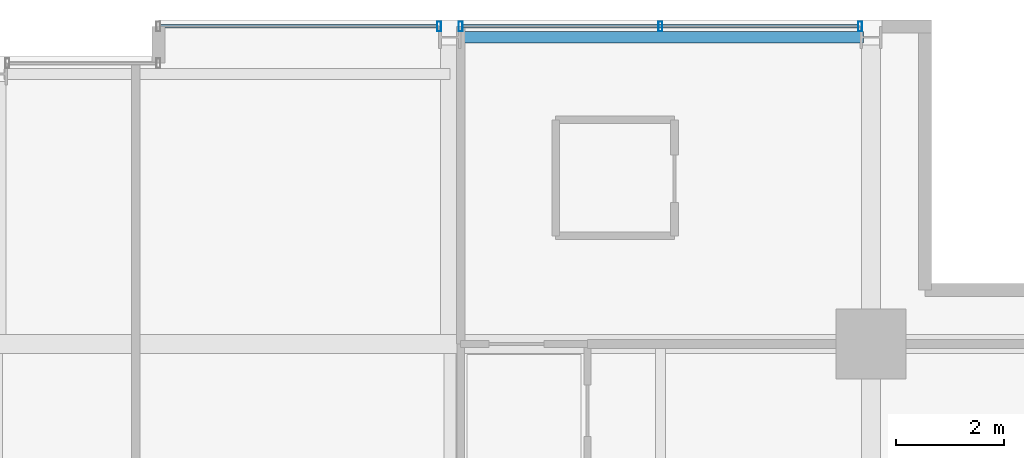
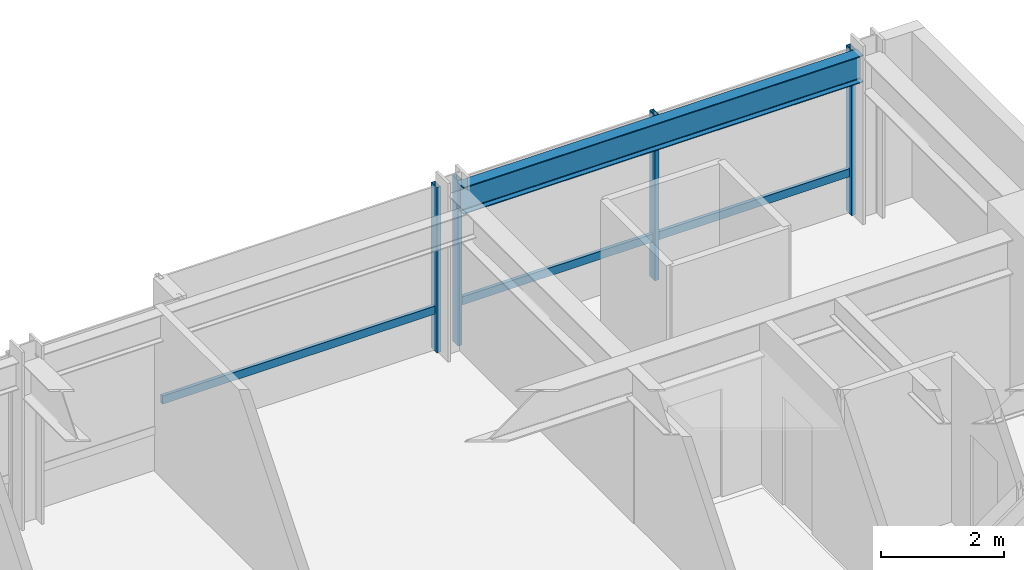
# One storey, part 24 of 32: 6 members, 1 beam, 2 elements without a shape of their own.
"""IFC4 building model written with IfcOpenShell, lengths in metres."""

from ifc_helpers import new_model, si_unit, direction, frame, origin, origin_2d, place, context, subcontext, project, spatial, hollow_rectangle, i_section, extrude, material, layer, layer_set, material_profile, profile_set, type_object, element, aggregate, save


model = new_model("IFC4")

# Units and contexts
model_context = context("Model", 3, precision=1e-05, world=origin(), true_north=direction((0.0, 1.0)))
body_context = subcontext(model_context, "Body", "Model", "MODEL_VIEW")
ifc_project = project(units=[si_unit("LENGTHUNIT", "METRE"), si_unit("AREAUNIT", "SQUARE_METRE"), si_unit("VOLUMEUNIT", "CUBIC_METRE"), si_unit("PLANEANGLEUNIT", "RADIAN"), si_unit("MASSUNIT", "GRAM", prefix="KILO")], contexts=[model_context])

# Site, building, storey
site_placement = place(None, origin())
site = spatial("IfcSite", under=ifc_project, at=site_placement, CompositionType="ELEMENT")
building_placement = place(site_placement, origin())
building = spatial("IfcBuilding", under=site, at=building_placement, Name="Drelvath Grand Hotel", CompositionType="ELEMENT")
storey_placement = place(building_placement, frame((0.0, 0.0, 157.5)))
storey = spatial("IfcBuildingStorey", under=building, at=storey_placement, Name="L40", CompositionType="ELEMENT", Elevation=157.5)

# Curtain wall, member
ifc_material_1 = material(Name="Brushed Pale-Silver Anodised Aluminium Frame", Category="aluminium")
ifc_layer = layer(ifc_material_1, 0.199951171875)
ifc_layer_set = layer_set([ifc_layer], Name="Brushed Pale-Silver Anodised Aluminium Frame")
curtain_wall_type = type_object("IfcCurtainWallType", Name="Stick Curtain Wall CW-04 Brushed Silver Upper-Mid", PredefinedType="NOTDEFINED", material=ifc_layer_set)
curtain_wall_1_placement = place(storey_placement, origin())
curtain_wall_1 = element("IfcCurtainWall", 1, at=curtain_wall_1_placement, inside=storey, type_object=curtain_wall_type, Name="L40 CW-04 Curtain Wall CW04-L40-NE1", PredefinedType="NOTDEFINED")
ifc_material_profile_1 = material_profile(ifc_material_1, hollow_rectangle(XDim=0.06494140625, YDim=0.159912109375, WallThickness=0.00390625, at=origin_2d()), Name="HSS160X65X4")
ifc_profile_set_1 = profile_set([ifc_material_profile_1], Name="Brushed Pale-Silver Anodised Aluminium Frame")
member_type_1 = type_object("IfcMemberType", Name="Curtain Wall Horizontal Transom CW-04 HSS160X65X4", PredefinedType="USERDEFINED", material=ifc_profile_set_1)
member_1_placement = place(storey_placement, frame((3.0400390625, 49.080078125, 0.822509765625), z_axis=(1.0, 0.0, 0.0), x_axis=(0.0, 1.0, 0.0)))
member_1 = element("IfcMember", 2, at=member_1_placement, type_object=member_type_1, Name="CW04-L40-NE1 Sill Transom", ObjectType="TRANSOM", PredefinedType="USERDEFINED", context=body_context, shape_type="SweptSolid", body=[
    extrude(hollow_rectangle(XDim=0.06494140625, YDim=0.159912109375, WallThickness=0.00390625, at=origin_2d()), origin(), (0.0, 0.0, 1.0), 5.119873046875),
])

curtain_wall_2_placement = place(storey_placement, origin())
curtain_wall_2 = element("IfcCurtainWall", 3, at=curtain_wall_2_placement, inside=storey, type_object=curtain_wall_type, Name="L40 CW-04 Curtain Wall CW04-L40-NE2", PredefinedType="NOTDEFINED")
member_2_placement = place(storey_placement, frame((8.64013671875, 49.080078125, 0.822509765625), z_axis=(1.0, 0.0, 0.0), x_axis=(0.0, 1.0, 0.0)))
member_2 = element("IfcMember", 4, at=member_2_placement, type_object=member_type_1, Name="CW04-L40-NE2 Sill Transom", ObjectType="TRANSOM", PredefinedType="USERDEFINED", context=body_context, shape_type="SweptSolid", body=[
    extrude(hollow_rectangle(XDim=0.06494140625, YDim=0.159912109375, WallThickness=0.00390625, at=origin_2d()), origin(), (0.0, 0.0, 1.0), 7.31982421875),
])

# Member
ifc_material_profile_2 = material_profile(ifc_material_1, hollow_rectangle(XDim=0.074951171875, YDim=0.179931640625, WallThickness=0.0048828125, at=origin_2d()), Name="HSS180X75X5")
ifc_profile_set_2 = profile_set([ifc_material_profile_2], Name="Brushed Pale-Silver Anodised Aluminium Frame")
member_type_2 = type_object("IfcMemberType", Name="Curtain Wall Vertical Mullion CW-04 HSS180X75X5", PredefinedType="MULLION", material=ifc_profile_set_2)
member_3_placement = place(storey_placement, frame((8.199951171875, 49.080078125, 0.0), z_axis=(0.0, 0.0, 1.0), x_axis=(1.0, 0.0, 0.0)))
member_3 = element("IfcMember", 5, at=member_3_placement, type_object=member_type_2, Name="CW04-L40-NE1 Mullion 2", PredefinedType="MULLION", context=body_context, shape_type="SweptSolid", body=[
    extrude(hollow_rectangle(XDim=0.074951171875, YDim=0.179931640625, WallThickness=0.0048828125, at=origin_2d()), origin(), (0.0, 0.0, 1.0), 3.2900390625),
])

aggregate(curtain_wall_1, [member_3, member_1])

member_4_placement = place(storey_placement, frame((8.60009765625, 49.080078125, 0.0), z_axis=(0.0, 0.0, 1.0), x_axis=(1.0, 0.0, 0.0)))
member_4 = element("IfcMember", 6, at=member_4_placement, type_object=member_type_2, Name="CW04-L40-NE2 Mullion 1", PredefinedType="MULLION", context=body_context, shape_type="SweptSolid", body=[
    extrude(hollow_rectangle(XDim=0.074951171875, YDim=0.179931640625, WallThickness=0.0048828125, at=origin_2d()), origin(), (0.0, 0.0, 1.0), 3.2900390625),
])

member_5_placement = place(storey_placement, frame((12.300048828125, 49.080078125, 0.0), z_axis=(0.0, 0.0, 1.0), x_axis=(1.0, 0.0, 0.0)))
member_5 = element("IfcMember", 7, at=member_5_placement, type_object=member_type_2, Name="CW04-L40-NE2 Mullion 2", PredefinedType="MULLION", context=body_context, shape_type="SweptSolid", body=[
    extrude(hollow_rectangle(XDim=0.074951171875, YDim=0.179931640625, WallThickness=0.0048828125, at=origin_2d()), origin(), (0.0, 0.0, 1.0), 3.2900390625),
])

member_6_placement = place(storey_placement, frame((16.0, 49.080078125, 0.0), z_axis=(0.0, 0.0, 1.0), x_axis=(1.0, 0.0, 0.0)))
member_6 = element("IfcMember", 8, at=member_6_placement, type_object=member_type_2, Name="CW04-L40-NE2 Mullion 3", PredefinedType="MULLION", context=body_context, shape_type="SweptSolid", body=[
    extrude(hollow_rectangle(XDim=0.074951171875, YDim=0.179931640625, WallThickness=0.0048828125, at=origin_2d()), origin(), (0.0, 0.0, 1.0), 3.2900390625),
])

aggregate(curtain_wall_2, [member_4, member_5, member_6, member_2])

# Beam
ifc_material_2 = material(Name="Steel ASTM A992 Gr 50", Category="steel")
ifc_material_profile_3 = material_profile(ifc_material_2, i_section(OverallWidth=0.210205078125, OverallDepth=0.53662109375, WebThickness=0.010986328125, FlangeThickness=0.017333984375, FilletRadius=0.01806640625, at=origin_2d()), Name="W21X68")
ifc_profile_set_3 = profile_set([ifc_material_profile_3], Name="Steel ASTM A992 Gr 50")
beam_type = type_object("IfcBeamType", Name="Perimeter Spandrel Beam W21X68", PredefinedType="SPANDREL", material=ifc_profile_set_3)
beam_placement = place(storey_placement, frame((8.5400390625, 48.8798828125, 3.021484375), z_axis=(1.0, 0.0, 0.0), x_axis=(0.0, 1.0, 0.0)))
element("IfcBeam", 9, at=beam_placement, inside=storey, type_object=beam_type, Name="L40 Spandrel North E", PredefinedType="SPANDREL", context=body_context, shape_type="SweptSolid", body=[
    extrude(i_section(OverallWidth=0.210205078125, OverallDepth=0.53662109375, WebThickness=0.010986328125, FlangeThickness=0.017333984375, FilletRadius=0.01806640625, at=origin_2d()), origin(), (0.0, 0.0, 1.0), 7.52001953125),
])

save(model, "model.ifc")
